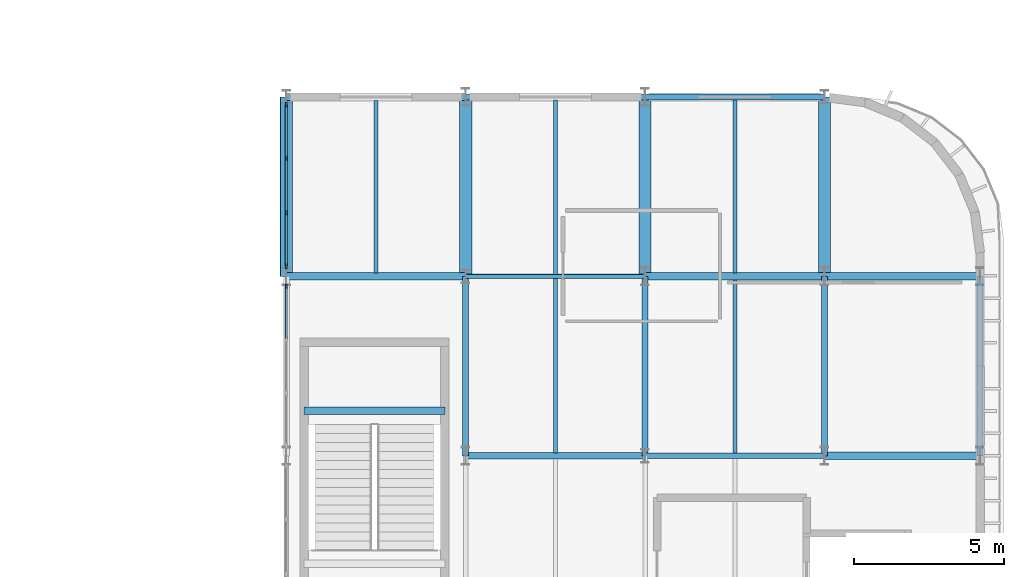
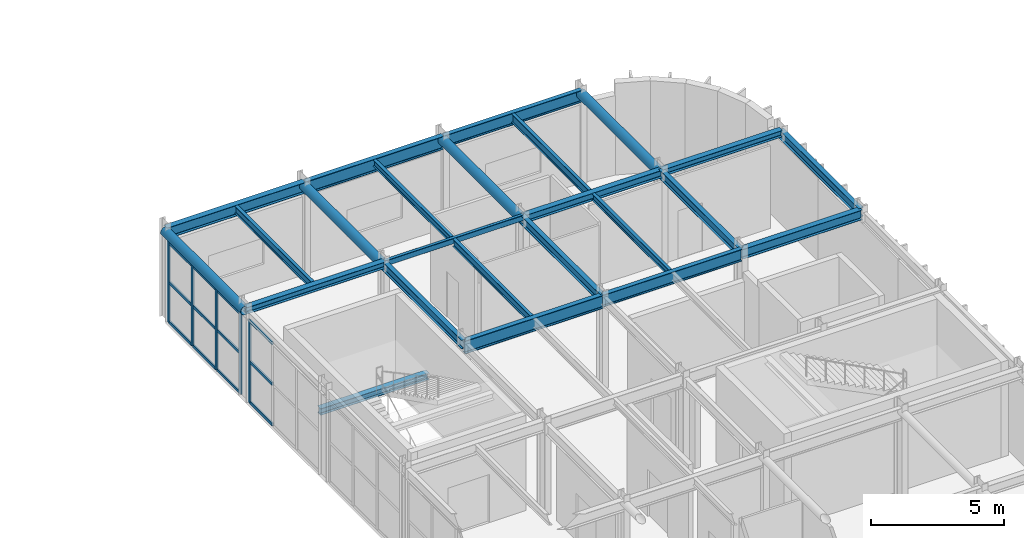
# One storey, part 53 of 96: 24 beams, 17 members, 2 elements without a shape of their own.
"""IFC4 building model written with IfcOpenShell, lengths in metres."""

from ifc_helpers import new_model, si_unit, direction, frame, origin, origin_2d, place, context, subcontext, project, spatial, rectangle, hollow_rectangle, hollow_circle, i_section, extrude, material, material_profile, profile_set, type_object, element, aggregate, save


model = new_model("IFC4")

# Units and contexts
model_context = context("Model", 3, precision=1e-05, world=origin(), true_north=direction((0.0, 1.0)))
body_context = subcontext(model_context, "Body", "Model", "MODEL_VIEW")
ifc_project = project(units=[si_unit("LENGTHUNIT", "METRE"), si_unit("AREAUNIT", "SQUARE_METRE"), si_unit("VOLUMEUNIT", "CUBIC_METRE"), si_unit("PLANEANGLEUNIT", "RADIAN"), si_unit("MASSUNIT", "GRAM", prefix="KILO")], contexts=[model_context])

# Site, building, storey
site_placement = place(None, origin())
site = spatial("IfcSite", under=ifc_project, at=site_placement, CompositionType="ELEMENT")
building_placement = place(site_placement, origin())
building = spatial("IfcBuilding", under=site, at=building_placement, Name="Varnakota Square Police Headquarters", CompositionType="ELEMENT")
storey_placement = place(building_placement, frame((0.0, 0.0, 4.800048828125)))
storey = spatial("IfcBuildingStorey", under=building, at=storey_placement, Name="L01", CompositionType="ELEMENT", Elevation=4.800048828125)

# Beams
ifc_material_1 = material(Name="Steel IS 2062 Grade 350", Category="steel")
ifc_material_profile_1 = material_profile(ifc_material_1, hollow_circle(Radius=0.203125, WallThickness=0.01611328125, at=origin_2d()), Name="CHS 406.4x16.0")
ifc_profile_set_1 = profile_set([ifc_material_profile_1], Name="Steel IS 2062 Grade 350")
beam_type_1 = type_object("IfcBeamType", Name="BM-ARC-CHS406", PredefinedType="BEAM", material=ifc_profile_set_1)
for number, where, z_axis, x_axis, name in (
    (1, (138.0, 39.0, 3.996826171875), (0.0, 1.0, 0.0), (-1.0, 0.0, 0.0), "BMG-L01-1722"),
    (2, (144.0, 39.0, 3.996826171875), (0.0, 1.0, 0.0), (-1.0, 0.0, 0.0), "BMG-L01-1736"),
    (3, (150.0, 39.0, 3.996826171875), (0.0, 1.0, 0.0), (-1.0, 0.0, 0.0), "BMG-L01-1750"),
    (4, (156.0, 39.0, 3.996826171875), (0.0, 1.0, 0.0), (-1.0, 0.0, 0.0), "BMG-L01-1759"),
):
    element("IfcBeam", number, at=place(storey_placement, frame(where, z_axis=z_axis, x_axis=x_axis)), inside=storey, type_object=beam_type_1, Name=name, PredefinedType="BEAM", context=body_context, shape_type="SweptSolid", body=[
        extrude(hollow_circle(Radius=0.203125, WallThickness=0.01611328125, at=origin_2d()), origin(), (0.0, 0.0, 1.0), 6.0),
    ])
ifc_material_profile_2 = material_profile(ifc_material_1, hollow_rectangle(XDim=0.14990234375, YDim=0.25, WallThickness=0.010009765625, InnerFilletRadius=0.010009765625, OuterFilletRadius=0.02001953125, at=origin_2d()), Name="RHS 250x150x10")
ifc_profile_set_2 = profile_set([ifc_material_profile_2], Name="Steel IS 2062 Grade 350")
beam_type_2 = type_object("IfcBeamType", Name="BM-CBEAM-RHS250", PredefinedType="BEAM", material=ifc_profile_set_2)
beam_1_placement = place(storey_placement, frame((144.0, 39.0, 4.074951171875), z_axis=(1.0, 0.0, 0.0), x_axis=(0.0, 1.0, 0.0)))
element("IfcBeam", 5, at=beam_1_placement, inside=storey, type_object=beam_type_2, Name="BMG-L01-1390", PredefinedType="BEAM", context=body_context, shape_type="SweptSolid", body=[
    extrude(hollow_rectangle(XDim=0.14990234375, YDim=0.25, WallThickness=0.010009765625, InnerFilletRadius=0.010009765625, OuterFilletRadius=0.02001953125, at=origin_2d()), origin(), (0.0, 0.0, 1.0), 6.0),
])
ifc_material_profile_3 = material_profile(ifc_material_1, i_section(OverallWidth=0.25, OverallDepth=0.300048828125, WebThickness=0.009521484375, FlangeThickness=0.010498046875, FilletRadius=0.011962890625, at=origin_2d()), Name="ISHB 300")
ifc_profile_set_3 = profile_set([ifc_material_profile_3], Name="Steel IS 2062 Grade 350")
beam_type_3 = type_object("IfcBeamType", Name="BM-ISHB300", PredefinedType="BEAM", material=ifc_profile_set_3)
beam_2_placement = place(storey_placement, frame((138.0, 39.0, 4.050048828125), z_axis=(1.0, 0.0, 0.0), x_axis=(0.0, 1.0, 0.0)))
element("IfcBeam", 6, at=beam_2_placement, inside=storey, type_object=beam_type_3, Name="BMG-L01-1389", PredefinedType="BEAM", context=body_context, shape_type="SweptSolid", body=[
    extrude(i_section(OverallWidth=0.25, OverallDepth=0.300048828125, WebThickness=0.009521484375, FlangeThickness=0.010498046875, FilletRadius=0.011962890625, at=origin_2d()), origin(), (0.0, 0.0, 1.0), 6.0),
])
beam_3_placement = place(storey_placement, frame((156.0, 39.0, 4.050048828125), z_axis=(1.0, 0.0, 0.0), x_axis=(0.0, 1.0, 0.0)))
element("IfcBeam", 7, at=beam_3_placement, inside=storey, type_object=beam_type_3, Name="BMG-L01-1392", PredefinedType="BEAM", context=body_context, shape_type="SweptSolid", body=[
    extrude(i_section(OverallWidth=0.25, OverallDepth=0.300048828125, WebThickness=0.009521484375, FlangeThickness=0.010498046875, FilletRadius=0.011962890625, at=origin_2d()), origin(), (0.0, 0.0, 1.0), 5.199951171875),
])
beam_4_placement = place(storey_placement, frame((138.60009765625, 34.500732421875, 1.93798828125), z_axis=(1.0, 0.0, 0.0), x_axis=(0.0, 1.0, 0.0)))
element("IfcBeam", 8, at=beam_4_placement, inside=storey, type_object=beam_type_3, Name="Stair landing support beam BM-LND-0034", PredefinedType="BEAM", context=body_context, shape_type="SweptSolid", body=[
    extrude(i_section(OverallWidth=0.25, OverallDepth=0.300048828125, WebThickness=0.009521484375, FlangeThickness=0.010498046875, FilletRadius=0.011962890625, at=origin_2d()), origin(), (0.0, 0.0, 1.0), 4.699951171875),
])
ifc_material_profile_4 = material_profile(ifc_material_1, i_section(OverallWidth=0.25, OverallDepth=0.35009765625, WebThickness=0.010009765625, FlangeThickness=0.01171875, FilletRadius=0.011962890625, at=origin_2d()), Name="ISHB 350")
ifc_profile_set_4 = profile_set([ifc_material_profile_4], Name="Steel IS 2062 Grade 350")
beam_type_4 = type_object("IfcBeamType", Name="BM-ISHB350", PredefinedType="BEAM", material=ifc_profile_set_4)
beam_5_placement = place(storey_placement, frame((150.0, 39.0, 4.02490234375), z_axis=(1.0, 0.0, 0.0), x_axis=(0.0, 1.0, 0.0)))
element("IfcBeam", 9, at=beam_5_placement, inside=storey, type_object=beam_type_4, Name="BMG-L01-1391", PredefinedType="BEAM", context=body_context, shape_type="SweptSolid", body=[
    extrude(i_section(OverallWidth=0.25, OverallDepth=0.35009765625, WebThickness=0.010009765625, FlangeThickness=0.01171875, FilletRadius=0.011962890625, at=origin_2d()), origin(), (0.0, 0.0, 1.0), 6.0),
])
ifc_material_profile_5 = material_profile(ifc_material_1, i_section(OverallWidth=0.25, OverallDepth=0.449951171875, WebThickness=0.01123046875, FlangeThickness=0.013671875, FilletRadius=0.014892578125, at=origin_2d()), Name="ISHB 450")
ifc_profile_set_5 = profile_set([ifc_material_profile_5], Name="Steel IS 2062 Grade 350")
beam_type_5 = type_object("IfcBeamType", Name="BM-ISHB450", PredefinedType="BEAM", material=ifc_profile_set_5)
beam_6_placement = place(storey_placement, frame((156.0, 33.0, 3.974853515625), z_axis=(1.0, 0.0, 0.0), x_axis=(0.0, 1.0, 0.0)))
element("IfcBeam", 10, at=beam_6_placement, inside=storey, type_object=beam_type_5, Name="BMG-L01-1382", PredefinedType="BEAM", context=body_context, shape_type="SweptSolid", body=[
    extrude(i_section(OverallWidth=0.25, OverallDepth=0.449951171875, WebThickness=0.01123046875, FlangeThickness=0.013671875, FilletRadius=0.014892578125, at=origin_2d()), origin(), (0.0, 0.0, 1.0), 5.199951171875),
])
ifc_material_profile_6 = material_profile(ifc_material_1, i_section(OverallWidth=0.139892578125, OverallDepth=0.300048828125, WebThickness=0.0078125, FlangeThickness=0.01318359375, FilletRadius=0.013916015625, at=origin_2d()), Name="ISMB 300")
ifc_profile_set_6 = profile_set([ifc_material_profile_6], Name="Steel IS 2062 Grade 350")
beam_type_6 = type_object("IfcBeamType", Name="BM-ISMB300", PredefinedType="JOIST", material=ifc_profile_set_6)
beam_7_placement = place(storey_placement, frame((147.0, 39.072998046875, 4.050048828125), z_axis=(0.0, 1.0, 0.0), x_axis=(-1.0, 0.0, 0.0)))
element("IfcBeam", 11, at=beam_7_placement, inside=storey, type_object=beam_type_6, Name="BMG-L01-1883", PredefinedType="JOIST", context=body_context, shape_type="SweptSolid", body=[
    extrude(i_section(OverallWidth=0.139892578125, OverallDepth=0.300048828125, WebThickness=0.0078125, FlangeThickness=0.01318359375, FilletRadius=0.013916015625, at=origin_2d()), origin(), (0.0, 0.0, 1.0), 5.823974609375),
])
beam_8_placement = place(storey_placement, frame((153.0, 33.093017578125, 4.050048828125), z_axis=(0.0, 1.0, 0.0), x_axis=(-1.0, 0.0, 0.0)))
element("IfcBeam", 12, at=beam_8_placement, inside=storey, type_object=beam_type_6, Name="BMG-L01-1890", PredefinedType="JOIST", context=body_context, shape_type="SweptSolid", body=[
    extrude(i_section(OverallWidth=0.139892578125, OverallDepth=0.300048828125, WebThickness=0.0078125, FlangeThickness=0.01318359375, FilletRadius=0.013916015625, at=origin_2d()), origin(), (0.0, 0.0, 1.0), 5.783935546875),
])
ifc_material_profile_7 = material_profile(ifc_material_1, i_section(OverallWidth=0.139892578125, OverallDepth=0.35009765625, WebThickness=0.008056640625, FlangeThickness=0.01416015625, FilletRadius=0.013916015625, at=origin_2d()), Name="ISMB 350")
ifc_profile_set_7 = profile_set([ifc_material_profile_7], Name="Steel IS 2062 Grade 350")
beam_type_7 = type_object("IfcBeamType", Name="BM-ISMB350", PredefinedType="JOIST", material=ifc_profile_set_7)
beam_9_placement = place(storey_placement, frame((141.0, 39.123046875, 4.02490234375), z_axis=(0.0, 1.0, 0.0), x_axis=(-1.0, 0.0, 0.0)))
element("IfcBeam", 13, at=beam_9_placement, inside=storey, type_object=beam_type_7, Name="BMG-L01-1871", PredefinedType="JOIST", context=body_context, shape_type="SweptSolid", body=[
    extrude(i_section(OverallWidth=0.139892578125, OverallDepth=0.35009765625, WebThickness=0.008056640625, FlangeThickness=0.01416015625, FilletRadius=0.013916015625, at=origin_2d()), origin(), (0.0, 0.0, 1.0), 5.75390625),
])
beam_10_placement = place(storey_placement, frame((147.0, 33.10302734375, 4.02490234375), z_axis=(0.0, 1.0, 0.0), x_axis=(-1.0, 0.0, 0.0)))
element("IfcBeam", 14, at=beam_10_placement, inside=storey, type_object=beam_type_7, Name="BMG-L01-1882", PredefinedType="JOIST", context=body_context, shape_type="SweptSolid", body=[
    extrude(i_section(OverallWidth=0.139892578125, OverallDepth=0.35009765625, WebThickness=0.008056640625, FlangeThickness=0.01416015625, FilletRadius=0.013916015625, at=origin_2d()), origin(), (0.0, 0.0, 1.0), 5.823974609375),
])
ifc_material_profile_8 = material_profile(ifc_material_1, i_section(OverallWidth=0.139892578125, OverallDepth=0.39990234375, WebThickness=0.0087890625, FlangeThickness=0.01611328125, FilletRadius=0.013916015625, at=origin_2d()), Name="ISMB 400")
ifc_profile_set_8 = profile_set([ifc_material_profile_8], Name="Steel IS 2062 Grade 350")
beam_type_8 = type_object("IfcBeamType", Name="BM-ISMB400", PredefinedType="JOIST", material=ifc_profile_set_8)
beam_11_placement = place(storey_placement, frame((153.0, 39.123046875, 4.0), z_axis=(0.0, 1.0, 0.0), x_axis=(-1.0, 0.0, 0.0)))
element("IfcBeam", 15, at=beam_11_placement, inside=storey, type_object=beam_type_8, Name="BMG-L01-1891", PredefinedType="JOIST", context=body_context, shape_type="SweptSolid", body=[
    extrude(i_section(OverallWidth=0.139892578125, OverallDepth=0.39990234375, WebThickness=0.0087890625, FlangeThickness=0.01611328125, FilletRadius=0.013916015625, at=origin_2d()), origin(), (0.0, 0.0, 1.0), 5.783935546875),
])
ifc_material_profile_9 = material_profile(ifc_material_1, i_section(OverallWidth=0.18994140625, OverallDepth=0.550048828125, WebThickness=0.01123046875, FlangeThickness=0.019287109375, FilletRadius=0.01806640625, at=origin_2d()), Name="ISMB 550")
ifc_profile_set_9 = profile_set([ifc_material_profile_9], Name="Steel IS 2062 Grade 350")
beam_type_9 = type_object("IfcBeamType", Name="BM-ISMB550", PredefinedType="BEAM", material=ifc_profile_set_9)
for number, where, z_axis, x_axis, name in (
    (16, (150.0, 33.0, 3.925048828125), (1.0, 0.0, 0.0), (0.0, 1.0, 0.0), "BMG-L01-1381"),
    (17, (150.0, 45.0, 3.925048828125), (1.0, 0.0, 0.0), (0.0, 1.0, 0.0), "BMG-L01-1400"),
):
    element("IfcBeam", number, at=place(storey_placement, frame(where, z_axis=z_axis, x_axis=x_axis)), inside=storey, type_object=beam_type_9, Name=name, PredefinedType="BEAM", context=body_context, shape_type="SweptSolid", body=[
        extrude(i_section(OverallWidth=0.18994140625, OverallDepth=0.550048828125, WebThickness=0.01123046875, FlangeThickness=0.019287109375, FilletRadius=0.01806640625, at=origin_2d()), origin(), (0.0, 0.0, 1.0), 6.0),
    ])
ifc_material_profile_10 = material_profile(ifc_material_1, i_section(OverallWidth=0.2099609375, OverallDepth=0.60009765625, WebThickness=0.011962890625, FlangeThickness=0.020751953125, FilletRadius=0.02001953125, at=origin_2d()), Name="ISMB 600")
ifc_profile_set_10 = profile_set([ifc_material_profile_10], Name="Steel IS 2062 Grade 350")
beam_type_10 = type_object("IfcBeamType", Name="BM-ISMB600", PredefinedType="BEAM", material=ifc_profile_set_10)
for number, where, z_axis, x_axis, name in (
    (18, (144.0, 33.0, 3.89990234375), (1.0, 0.0, 0.0), (0.0, 1.0, 0.0), "BMG-L01-1380"),
    (19, (144.0, 45.0, 3.89990234375), (1.0, 0.0, 0.0), (0.0, 1.0, 0.0), "BMG-L01-1399"),
):
    element("IfcBeam", number, at=place(storey_placement, frame(where, z_axis=z_axis, x_axis=x_axis)), inside=storey, type_object=beam_type_10, Name=name, PredefinedType="BEAM", context=body_context, shape_type="SweptSolid", body=[
        extrude(i_section(OverallWidth=0.2099609375, OverallDepth=0.60009765625, WebThickness=0.011962890625, FlangeThickness=0.020751953125, FilletRadius=0.02001953125, at=origin_2d()), origin(), (0.0, 0.0, 1.0), 6.0),
    ])
ifc_material_profile_11 = material_profile(ifc_material_1, i_section(OverallWidth=0.199951171875, OverallDepth=0.39990234375, WebThickness=0.008544921875, FlangeThickness=0.012939453125, FilletRadius=0.012939453125, at=origin_2d()), Name="ISWB 400")
ifc_profile_set_11 = profile_set([ifc_material_profile_11], Name="Steel IS 2062 Grade 350")
beam_type_11 = type_object("IfcBeamType", Name="BM-ISWB400", PredefinedType="BEAM", material=ifc_profile_set_11)
for number, where, z_axis, x_axis, name in (
    (20, (144.0, 33.0, 4.0), (0.0, 1.0, 0.0), (-1.0, 0.0, 0.0), "BMG-L01-1735"),
    (21, (150.0, 33.0, 4.0), (0.0, 1.0, 0.0), (-1.0, 0.0, 0.0), "BMG-L01-1749"),
    (22, (156.0, 33.0, 4.0), (0.0, 1.0, 0.0), (-1.0, 0.0, 0.0), "BMG-L01-1758"),
    (23, (161.199951171875, 33.0, 4.0), (0.0, 1.0, 0.0), (-1.0, 0.0, 0.0), "BMG-L01-1771"),
):
    element("IfcBeam", number, at=place(storey_placement, frame(where, z_axis=z_axis, x_axis=x_axis)), inside=storey, type_object=beam_type_11, Name=name, PredefinedType="BEAM", context=body_context, shape_type="SweptSolid", body=[
        extrude(i_section(OverallWidth=0.199951171875, OverallDepth=0.39990234375, WebThickness=0.008544921875, FlangeThickness=0.012939453125, FilletRadius=0.012939453125, at=origin_2d()), origin(), (0.0, 0.0, 1.0), 6.0),
    ])
ifc_material_profile_12 = material_profile(ifc_material_1, i_section(OverallWidth=0.25, OverallDepth=0.5, WebThickness=0.010009765625, FlangeThickness=0.0146484375, FilletRadius=0.014892578125, at=origin_2d()), Name="ISWB 500")
ifc_profile_set_12 = profile_set([ifc_material_profile_12], Name="Steel IS 2062 Grade 350")
beam_type_12 = type_object("IfcBeamType", Name="BM-ISWB500", PredefinedType="BEAM", material=ifc_profile_set_12)
beam_12_placement = place(storey_placement, frame((138.0, 45.0, 3.949951171875), z_axis=(1.0, 0.0, 0.0), x_axis=(0.0, 1.0, 0.0)))
element("IfcBeam", 24, at=beam_12_placement, inside=storey, type_object=beam_type_12, Name="BMG-L01-1398", PredefinedType="BEAM", context=body_context, shape_type="SweptSolid", body=[
    extrude(i_section(OverallWidth=0.25, OverallDepth=0.5, WebThickness=0.010009765625, FlangeThickness=0.0146484375, FilletRadius=0.014892578125, at=origin_2d()), origin(), (0.0, 0.0, 1.0), 6.0),
])

# Curtain wall, member
ifc_material_2 = material(Name="Anodised Aluminium Framing", Category="aluminium")
curtain_wall_type = type_object("IfcCurtainWallType", Name="CW-SYS-E", PredefinedType="NOTDEFINED", material=ifc_material_2)
curtain_wall_1_placement = place(storey_placement, origin())
curtain_wall_1 = element("IfcCurtainWall", 25, at=curtain_wall_1_placement, inside=storey, type_object=curtain_wall_type, Name="Unitised curtain wall CWG-L01-064", PredefinedType="NOTDEFINED")
ifc_material_3 = material(Name="Anodised Aluminium 6063-T6", Category="aluminium")
ifc_material_profile_13 = material_profile(ifc_material_3, rectangle(XDim=0.06494140625, YDim=0.159912109375, at=origin_2d()), Name="ALU MULLION 65x160")
ifc_profile_set_13 = profile_set([ifc_material_profile_13], Name="Anodised Aluminium 6063-T6")
member_type_1 = type_object("IfcMemberType", Name="CWM-150", PredefinedType="MULLION", material=ifc_profile_set_13)
member_1_placement = place(storey_placement, frame((138.0, 38.66259765625, 0.0), z_axis=(0.0, 0.0, 1.0), x_axis=(-1.0, 0.0, 0.0)))
member_1 = element("IfcMember", 26, at=member_1_placement, type_object=member_type_1, Name="CWG-L01-064 mullion 4", PredefinedType="MULLION", context=body_context, shape_type="SweptSolid", body=[
    extrude(rectangle(XDim=0.06494140625, YDim=0.159912109375, at=origin_2d()), origin(), (0.0, 0.0, 1.0), 3.783447265625),
])

# Curtain wall, members
curtain_wall_2_placement = place(storey_placement, origin())
curtain_wall_2 = element("IfcCurtainWall", 27, at=curtain_wall_2_placement, inside=storey, type_object=curtain_wall_type, Name="Unitised curtain wall CWG-L01-065", PredefinedType="NOTDEFINED")
member_2_placement = place(storey_placement, frame((138.0, 39.33740234375, 0.0), z_axis=(0.0, 0.0, 1.0), x_axis=(-1.0, 0.0, 0.0)))
member_2 = element("IfcMember", 28, at=member_2_placement, type_object=member_type_1, Name="CWG-L01-065 mullion 1", PredefinedType="MULLION", context=body_context, shape_type="SweptSolid", body=[
    extrude(rectangle(XDim=0.06494140625, YDim=0.159912109375, at=origin_2d()), origin(), (0.0, 0.0, 1.0), 3.68994140625),
])
member_3_placement = place(storey_placement, frame((138.0, 41.126708984375, 0.0), z_axis=(0.0, 0.0, 1.0), x_axis=(-1.0, 0.0, 0.0)))
member_3 = element("IfcMember", 29, at=member_3_placement, type_object=member_type_1, Name="CWG-L01-065 mullion 2", PredefinedType="MULLION", context=body_context, shape_type="SweptSolid", body=[
    extrude(rectangle(XDim=0.06494140625, YDim=0.159912109375, at=origin_2d()), origin(), (0.0, 0.0, 1.0), 3.68994140625),
])
member_4_placement = place(storey_placement, frame((138.0, 42.9482421875, 0.0), z_axis=(0.0, 0.0, 1.0), x_axis=(-1.0, 0.0, 0.0)))
member_4 = element("IfcMember", 30, at=member_4_placement, type_object=member_type_1, Name="CWG-L01-065 mullion 3", PredefinedType="MULLION", context=body_context, shape_type="SweptSolid", body=[
    extrude(rectangle(XDim=0.06494140625, YDim=0.159912109375, at=origin_2d()), origin(), (0.0, 0.0, 1.0), 3.68994140625),
])
member_5_placement = place(storey_placement, frame((138.0, 44.737548828125, 0.0), z_axis=(0.0, 0.0, 1.0), x_axis=(-1.0, 0.0, 0.0)))
member_5 = element("IfcMember", 31, at=member_5_placement, type_object=member_type_1, Name="CWG-L01-065 mullion 4", PredefinedType="MULLION", context=body_context, shape_type="SweptSolid", body=[
    extrude(rectangle(XDim=0.06494140625, YDim=0.159912109375, at=origin_2d()), origin(), (0.0, 0.0, 1.0), 3.68994140625),
])

# Member
ifc_material_profile_14 = material_profile(ifc_material_3, rectangle(XDim=0.06494140625, YDim=0.1298828125, at=origin_2d()), Name="ALU TRANSOM 65x130")
ifc_profile_set_14 = profile_set([ifc_material_profile_14], Name="Anodised Aluminium 6063-T6")
member_type_2 = type_object("IfcMemberType", Name="CWT-120", PredefinedType="USERDEFINED", material=ifc_profile_set_14)
member_6_placement = place(storey_placement, frame((138.0, 36.930908203125, 0.032470703125), z_axis=(0.0, 1.0, 0.0), x_axis=(-1.0, 0.0, 0.0)))
member_6 = element("IfcMember", 32, at=member_6_placement, type_object=member_type_2, Name="CWG-L01-064 transom 3.1", ObjectType="TRANSOM", PredefinedType="USERDEFINED", context=body_context, shape_type="SweptSolid", body=[
    extrude(rectangle(XDim=0.06494140625, YDim=0.1298828125, at=origin_2d()), origin(), (0.0, 0.0, 1.0), 1.698974609375),
])

member_7_placement = place(storey_placement, frame((138.0, 36.930908203125, 1.891845703125), z_axis=(0.0, 1.0, 0.0), x_axis=(-1.0, 0.0, 0.0)))
member_7 = element("IfcMember", 33, at=member_7_placement, type_object=member_type_2, Name="CWG-L01-064 transom 3.2", ObjectType="TRANSOM", PredefinedType="USERDEFINED", context=body_context, shape_type="SweptSolid", body=[
    extrude(rectangle(XDim=0.06494140625, YDim=0.1298828125, at=origin_2d()), origin(), (0.0, 0.0, 1.0), 1.698974609375),
])

member_8_placement = place(storey_placement, frame((138.0, 36.930908203125, 3.7509765625), z_axis=(0.0, 1.0, 0.0), x_axis=(-1.0, 0.0, 0.0)))
member_8 = element("IfcMember", 34, at=member_8_placement, type_object=member_type_2, Name="CWG-L01-064 transom 3.3", ObjectType="TRANSOM", PredefinedType="USERDEFINED", context=body_context, shape_type="SweptSolid", body=[
    extrude(rectangle(XDim=0.06494140625, YDim=0.1298828125, at=origin_2d()), origin(), (0.0, 0.0, 1.0), 1.698974609375),
])

aggregate(curtain_wall_1, [member_1, member_6, member_7, member_8])

member_9_placement = place(storey_placement, frame((138.0, 39.3701171875, 0.032470703125), z_axis=(0.0, 1.0, 0.0), x_axis=(-1.0, 0.0, 0.0)))
member_9 = element("IfcMember", 35, at=member_9_placement, type_object=member_type_2, Name="CWG-L01-065 transom 1.1", ObjectType="TRANSOM", PredefinedType="USERDEFINED", context=body_context, shape_type="SweptSolid", body=[
    extrude(rectangle(XDim=0.06494140625, YDim=0.1298828125, at=origin_2d()), origin(), (0.0, 0.0, 1.0), 1.72412109375),
])

member_10_placement = place(storey_placement, frame((138.0, 39.3701171875, 1.844970703125), z_axis=(0.0, 1.0, 0.0), x_axis=(-1.0, 0.0, 0.0)))
member_10 = element("IfcMember", 36, at=member_10_placement, type_object=member_type_2, Name="CWG-L01-065 transom 1.2", ObjectType="TRANSOM", PredefinedType="USERDEFINED", context=body_context, shape_type="SweptSolid", body=[
    extrude(rectangle(XDim=0.06494140625, YDim=0.1298828125, at=origin_2d()), origin(), (0.0, 0.0, 1.0), 1.72412109375),
])

member_11_placement = place(storey_placement, frame((138.0, 39.3701171875, 3.657470703125), z_axis=(0.0, 1.0, 0.0), x_axis=(-1.0, 0.0, 0.0)))
member_11 = element("IfcMember", 37, at=member_11_placement, type_object=member_type_2, Name="CWG-L01-065 transom 1.3", ObjectType="TRANSOM", PredefinedType="USERDEFINED", context=body_context, shape_type="SweptSolid", body=[
    extrude(rectangle(XDim=0.06494140625, YDim=0.1298828125, at=origin_2d()), origin(), (0.0, 0.0, 1.0), 1.72412109375),
])

member_12_placement = place(storey_placement, frame((138.0, 41.1591796875, 0.032470703125), z_axis=(0.0, 1.0, 0.0), x_axis=(-1.0, 0.0, 0.0)))
member_12 = element("IfcMember", 38, at=member_12_placement, type_object=member_type_2, Name="CWG-L01-065 transom 2.1", ObjectType="TRANSOM", PredefinedType="USERDEFINED", context=body_context, shape_type="SweptSolid", body=[
    extrude(rectangle(XDim=0.06494140625, YDim=0.1298828125, at=origin_2d()), origin(), (0.0, 0.0, 1.0), 1.756591796875),
])

member_13_placement = place(storey_placement, frame((138.0, 41.1591796875, 1.844970703125), z_axis=(0.0, 1.0, 0.0), x_axis=(-1.0, 0.0, 0.0)))
member_13 = element("IfcMember", 39, at=member_13_placement, type_object=member_type_2, Name="CWG-L01-065 transom 2.2", ObjectType="TRANSOM", PredefinedType="USERDEFINED", context=body_context, shape_type="SweptSolid", body=[
    extrude(rectangle(XDim=0.06494140625, YDim=0.1298828125, at=origin_2d()), origin(), (0.0, 0.0, 1.0), 1.756591796875),
])

member_14_placement = place(storey_placement, frame((138.0, 41.1591796875, 3.657470703125), z_axis=(0.0, 1.0, 0.0), x_axis=(-1.0, 0.0, 0.0)))
member_14 = element("IfcMember", 40, at=member_14_placement, type_object=member_type_2, Name="CWG-L01-065 transom 2.3", ObjectType="TRANSOM", PredefinedType="USERDEFINED", context=body_context, shape_type="SweptSolid", body=[
    extrude(rectangle(XDim=0.06494140625, YDim=0.1298828125, at=origin_2d()), origin(), (0.0, 0.0, 1.0), 1.756591796875),
])

member_15_placement = place(storey_placement, frame((138.0, 42.980712890625, 0.032470703125), z_axis=(0.0, 1.0, 0.0), x_axis=(-1.0, 0.0, 0.0)))
member_15 = element("IfcMember", 41, at=member_15_placement, type_object=member_type_2, Name="CWG-L01-065 transom 3.1", ObjectType="TRANSOM", PredefinedType="USERDEFINED", context=body_context, shape_type="SweptSolid", body=[
    extrude(rectangle(XDim=0.06494140625, YDim=0.1298828125, at=origin_2d()), origin(), (0.0, 0.0, 1.0), 1.724365234375),
])

member_16_placement = place(storey_placement, frame((138.0, 42.980712890625, 1.844970703125), z_axis=(0.0, 1.0, 0.0), x_axis=(-1.0, 0.0, 0.0)))
member_16 = element("IfcMember", 42, at=member_16_placement, type_object=member_type_2, Name="CWG-L01-065 transom 3.2", ObjectType="TRANSOM", PredefinedType="USERDEFINED", context=body_context, shape_type="SweptSolid", body=[
    extrude(rectangle(XDim=0.06494140625, YDim=0.1298828125, at=origin_2d()), origin(), (0.0, 0.0, 1.0), 1.724365234375),
])

member_17_placement = place(storey_placement, frame((138.0, 42.980712890625, 3.657470703125), z_axis=(0.0, 1.0, 0.0), x_axis=(-1.0, 0.0, 0.0)))
member_17 = element("IfcMember", 43, at=member_17_placement, type_object=member_type_2, Name="CWG-L01-065 transom 3.3", ObjectType="TRANSOM", PredefinedType="USERDEFINED", context=body_context, shape_type="SweptSolid", body=[
    extrude(rectangle(XDim=0.06494140625, YDim=0.1298828125, at=origin_2d()), origin(), (0.0, 0.0, 1.0), 1.724365234375),
])

aggregate(curtain_wall_2, [member_2, member_3, member_4, member_5, member_9, member_10, member_11, member_12, member_13, member_14, member_15, member_16, member_17])

save(model, "model.ifc")
